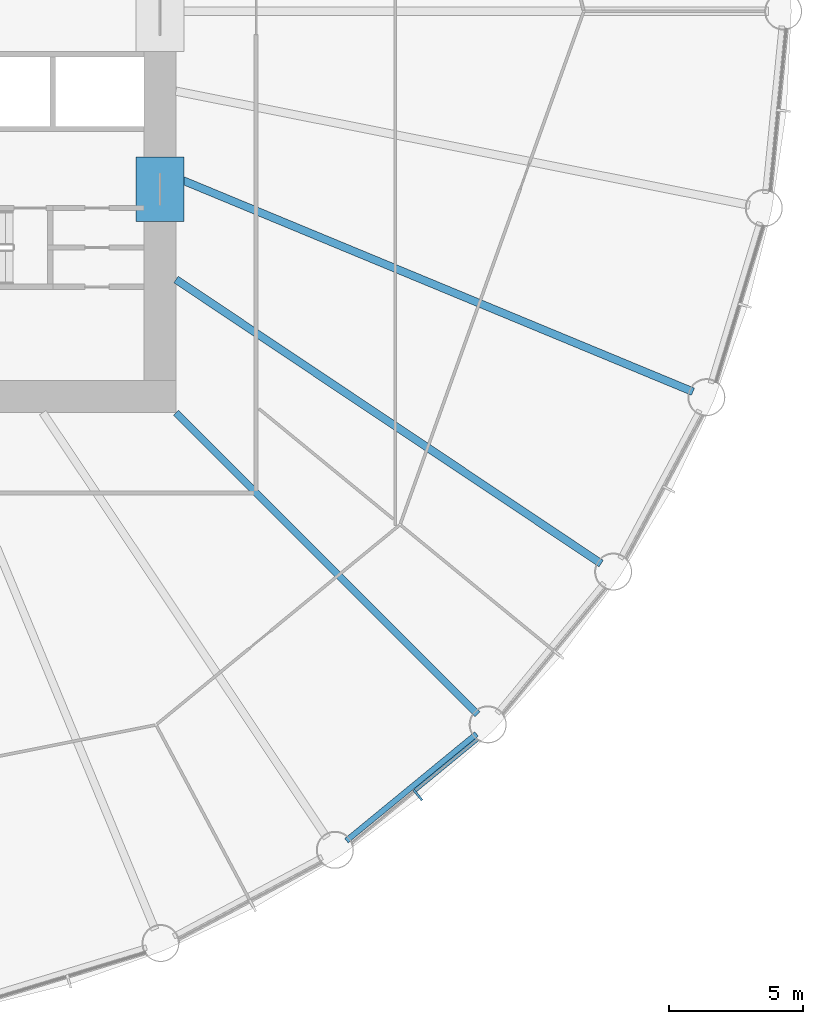
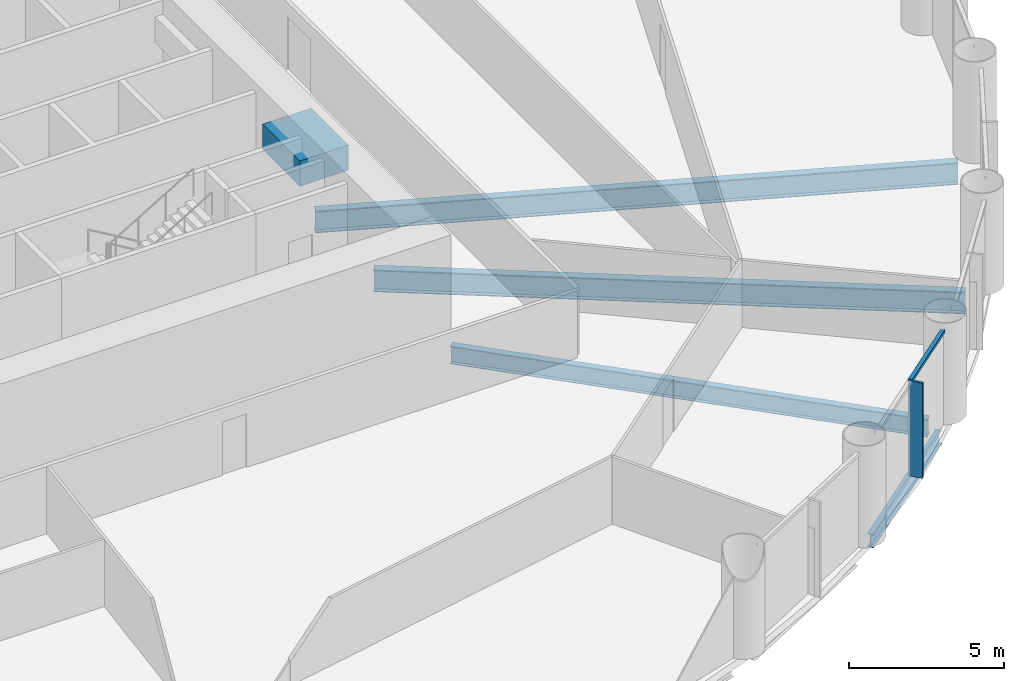
# One storey, part 3 of 14: 5 beams, 2 members, 1 element without a shape of its own.
"""IFC4 building model written with IfcOpenShell, lengths in metres."""

import ifcopenshell
import ifcopenshell.guid

model = None  # the IFC model being written
_history = None  # IfcOwnerHistory: only IFC2X3 demands one
_inside = {}  # id of a spatial element -> (the spatial element, [elements in it])
_under = {}  # id of a project, library or spatial element -> (it, [spatial elements below it])
_declared = {}  # id of a project -> (the project, [libraries it declares])
_typed = {}  # id of a type object -> (the type object, [elements of that type])
_made_of = {}  # id of a material, layer set ... -> (it, [elements and type objects made of it])


def new_model(schema):
    """Start an empty IFC model of exactly this schema.

    Asked for "IFC4X3", IfcOpenShell would pick the latest addendum, in which some entities
    have other attributes; the version numbers below select the first issue.
    IFC2X3 requires an IfcOwnerHistory on every rooted entity: one is made here for all.
    """
    global model, _history
    if schema == "IFC4X3":
        model = ifcopenshell.file(schema_version=(4, 3, 0, 0))
    else:
        model = ifcopenshell.file(schema=schema)
    _inside.clear()
    _under.clear()
    _declared.clear()
    _typed.clear()
    _made_of.clear()
    _history = None
    if model.schema == "IFC2X3":
        org = make("IfcOrganization", Name="unknown")
        user = make(
            "IfcPersonAndOrganization",
            ThePerson=make("IfcPerson", FamilyName="unknown"),
            TheOrganization=org,
        )
        app = make(
            "IfcApplication",
            ApplicationDeveloper=org,
            Version="unknown",
            ApplicationFullName="unknown",
            ApplicationIdentifier="unknown",
        )
        _history = make(
            "IfcOwnerHistory",
            OwningUser=user,
            OwningApplication=app,
            ChangeAction="ADDED",
            CreationDate=0,
        )
    return model


def make(cls, **values):
    """One entity of the class cls with the attributes given. An attribute that is None is left unset."""
    return model.create_entity(
        cls, **{name: value for name, value in values.items() if value is not None}
    )


def rooted(cls, **values):
    """An entity with a GlobalId (a new one), such as an element, a storey or a relation."""
    return make(cls, GlobalId=ifcopenshell.guid.new(), OwnerHistory=_history, **values)


def si_unit(unit_type, name, prefix=None):
    """IfcSIUnit, for example si_unit("LENGTHUNIT", "METRE", prefix="MILLI")."""
    return make("IfcSIUnit", UnitType=unit_type, Prefix=prefix, Name=name)


def assignment(units):
    """IfcUnitAssignment: the units of a project."""
    return None if units is None else make("IfcUnitAssignment", Units=units)


def point(xyz):
    """IfcCartesianPoint."""
    return None if xyz is None else make("IfcCartesianPoint", Coordinates=xyz)


def direction(xyz):
    """IfcDirection."""
    return None if xyz is None else make("IfcDirection", DirectionRatios=xyz)


def frame(location, z_axis=None, x_axis=None):
    """IfcAxis2Placement3D, a coordinate frame: its origin and axes. An axis left out is left unset."""
    return make(
        "IfcAxis2Placement3D",
        Location=point(location),
        Axis=direction(z_axis),
        RefDirection=direction(x_axis),
    )


def frame_2d(location, x_axis=None):
    """IfcAxis2Placement2D, a coordinate frame in the plane: its origin and x axis."""
    return make(
        "IfcAxis2Placement2D", Location=point(location), RefDirection=direction(x_axis)
    )


def origin():
    """The frame at (0, 0, 0) with its axes left unset."""
    return frame((0.0, 0.0, 0.0))


def origin_2d():
    """The frame at (0, 0) in the plane with its x axis left unset."""
    return frame_2d((0.0, 0.0))


def place(relative_to, where):
    """IfcLocalPlacement: puts the frame where relative to a parent placement (None: the world)."""
    return make(
        "IfcLocalPlacement", PlacementRelTo=relative_to, RelativePlacement=where
    )


def context(
    kind, dimensions, precision=None, world=None, true_north=None, identifier=None
):
    """IfcGeometricRepresentationContext, for example the 3D "Model" context."""
    return make(
        "IfcGeometricRepresentationContext",
        ContextIdentifier=identifier,
        ContextType=kind,
        CoordinateSpaceDimension=dimensions,
        Precision=precision,
        WorldCoordinateSystem=world,
        TrueNorth=true_north,
    )


def subcontext(parent, identifier, kind, view, scale=None):
    """IfcGeometricRepresentationSubContext, for example "Body" below "Model"."""
    return make(
        "IfcGeometricRepresentationSubContext",
        ContextIdentifier=identifier,
        ContextType=kind,
        ParentContext=parent,
        TargetScale=scale,
        TargetView=view,
    )


def project(units=None, contexts=None):
    """IfcProject with its units and contexts."""
    return rooted(
        "IfcProject",
        Name="project",
        RepresentationContexts=contexts,
        UnitsInContext=assignment(units),
    )


def spatial(cls, under=None, at=None, **own):
    """A site, building, storey or space (cls), placed at a placement, below another one or the project."""
    s = rooted(cls, ObjectPlacement=at, **own)
    if under is not None:
        _under.setdefault(under.id(), (under, []))[1].append(s)
    return s


def profile(cls, at=None, kind="AREA", **sizes):
    """A parametric profile (cls). Its sizes go by their IFC names, for example OverallWidth=200.0."""
    return make(cls, ProfileType=kind, Position=at, **sizes)


def rectangle(**sizes):
    """IfcRectangleProfileDef."""
    return profile("IfcRectangleProfileDef", **sizes)


def i_section(**sizes):
    """IfcIShapeProfileDef."""
    return profile("IfcIShapeProfileDef", **sizes)


def extrude(swept, where, along, depth):
    """IfcExtrudedAreaSolid: the profile swept, set in the frame where, extruded along a direction by depth."""
    return make(
        "IfcExtrudedAreaSolid",
        SweptArea=swept,
        Position=where,
        ExtrudedDirection=direction(along),
        Depth=depth,
    )


def shape(context_of_items, identifier, shape_type, items):
    """IfcShapeRepresentation: the items that make up one representation, for example the "Body"."""
    return make(
        "IfcShapeRepresentation",
        ContextOfItems=context_of_items,
        RepresentationIdentifier=identifier,
        RepresentationType=shape_type,
        Items=items,
    )


def material(Name=None, Category=None):
    """IfcMaterial."""
    return make("IfcMaterial", Name=Name, Category=Category)


def material_profile(
    of_material, cross_section, Name=None, Category=None, Priority=None
):
    """IfcMaterialProfile: a cross section and its material."""
    return make(
        "IfcMaterialProfile",
        Name=Name,
        Material=of_material,
        Profile=cross_section,
        Priority=Priority,
        Category=Category,
    )


def profile_set(profiles, Name=None, composite=None):
    """IfcMaterialProfileSet."""
    return make(
        "IfcMaterialProfileSet",
        Name=Name,
        MaterialProfiles=profiles,
        CompositeProfile=composite,
    )


def made_of(thing, what):
    """Note that an element or type object is made of a material, layer set ...; save() writes the relation."""
    if what is not None:
        _made_of.setdefault(what.id(), (what, []))[1].append(thing)
    return thing


def type_object(cls, material=None, **own):
    """A type object (cls), such as IfcWallType, which elements share."""
    return made_of(rooted(cls, **own), material)


def element(
    cls,
    number,
    at=None,
    inside=None,
    cuts=None,
    type_object=None,
    material=None,
    context=None,
    identifier="Body",
    shape_type=None,
    held_by="IfcProductDefinitionShape",
    body=None,
    shapes=None,
    **own,
):
    """One element of the class cls, such as IfcWall. Its Tag is "e" and its number.

    at: its placement. inside: the storey or other place that contains it. cuts: it is an
    opening in that element (IfcRelVoidsElement). A single representation is given by context,
    identifier, shape_type and body (its items); several are given by shapes. held_by: the class
    of the entity that holds the representations. save() writes the other relations.
    """
    e = rooted(cls, Tag="e%d" % number, ObjectPlacement=at, **own)
    if body is not None:
        shapes = [shape(context, identifier, shape_type, body)]
    if shapes is not None:
        e.Representation = make(held_by, Representations=shapes)
    if inside is not None:
        _inside.setdefault(inside.id(), (inside, []))[1].append(e)
    if cuts is not None:
        rooted(
            "IfcRelVoidsElement", RelatingBuildingElement=cuts, RelatedOpeningElement=e
        )
    if type_object is not None:
        _typed.setdefault(type_object.id(), (type_object, []))[1].append(e)
    return made_of(e, material)


def aggregate(whole, parts):
    """IfcRelAggregates: a whole, such as a stair, and the parts it consists of."""
    return rooted("IfcRelAggregates", RelatingObject=whole, RelatedObjects=parts)


def save(model, path):
    """Write the relations noted so far, then the file.

    IfcRelAggregates (storeys below a building ...), IfcRelContainedInSpatialStructure (elements
    in a storey), IfcRelDefinesByType, IfcRelAssociatesMaterial and IfcRelDeclares: one each for
    every whole, place, type object, material and project.
    """
    for whole, parts in _under.values():
        aggregate(whole, parts)
    for where, things in _inside.values():
        rooted(
            "IfcRelContainedInSpatialStructure",
            RelatedElements=things,
            RelatingStructure=where,
        )
    for kind, things in _typed.values():
        rooted("IfcRelDefinesByType", RelatedObjects=things, RelatingType=kind)
    for what, things in _made_of.values():
        rooted("IfcRelAssociatesMaterial", RelatedObjects=things, RelatingMaterial=what)
    for by, libraries in _declared.values():
        rooted("IfcRelDeclares", RelatingContext=by, RelatedDefinitions=libraries)
    model.write(path)


model = new_model("IFC4")

# Units and contexts
model_context = context("Model", 3, precision=1e-05, world=origin(), true_north=direction((0.0, 1.0)))
body_context = subcontext(model_context, "Body", "Model", "MODEL_VIEW")
ifc_project = project(units=[si_unit("LENGTHUNIT", "METRE"), si_unit("AREAUNIT", "SQUARE_METRE"), si_unit("VOLUMEUNIT", "CUBIC_METRE"), si_unit("PLANEANGLEUNIT", "RADIAN"), si_unit("MASSUNIT", "GRAM", prefix="KILO")], contexts=[model_context])

# Site, building, storey
site_placement = place(None, origin())
site = spatial("IfcSite", under=ifc_project, at=site_placement, CompositionType="ELEMENT")
building_placement = place(site_placement, origin())
building = spatial("IfcBuilding", under=site, at=building_placement, Name="Corvane Civic Tower", CompositionType="ELEMENT")
storey_placement = place(building_placement, frame((0.0, 0.0, 81.0)))
storey = spatial("IfcBuildingStorey", under=building, at=storey_placement, Name="L18", CompositionType="ELEMENT", Elevation=81.0)

# Beams
ifc_material_1 = material(Name="Concrete C80/95", Category="concrete")
ifc_material_profile_1 = material_profile(ifc_material_1, rectangle(XDim=1.800048828125, YDim=1.0, at=origin_2d()), Name="COUPLING BEAM 1800X1000")
ifc_profile_set_1 = profile_set([ifc_material_profile_1], Name="Concrete C80/95")
beam_type_1 = type_object("IfcBeamType", Name="COUPLING BEAM COUPLING BEAM 1800X1000", PredefinedType="BEAM", material=ifc_profile_set_1)
beam_1_placement = place(storey_placement, frame((14.39990234375, -7.85009765625, 2.60009765625), z_axis=(0.0, 1.0, 0.0), x_axis=(-1.0, 0.0, 0.0)))
element("IfcBeam", 1, at=beam_1_placement, inside=storey, type_object=beam_type_1, Name="BM-L18-cpl-CW-ES", PredefinedType="BEAM", context=body_context, shape_type="SweptSolid", body=[
    extrude(rectangle(XDim=1.800048828125, YDim=1.0, at=origin_2d()), origin(), (0.0, 0.0, 1.0), 2.400146484375),
])
ifc_material_2 = material(Name="Steel ASTM A992 Gr 50", Category="steel")
ifc_material_profile_2 = material_profile(ifc_material_2, i_section(OverallWidth=0.209228515625, OverallDepth=0.533447265625, WebThickness=0.01025390625, FlangeThickness=0.015625, at=origin_2d()), Name="W21X62")
ifc_profile_set_2 = profile_set([ifc_material_profile_2], Name="Steel ASTM A992 Gr 50")
beam_type_2 = type_object("IfcBeamType", Name="EDGE BEAM W21X62", PredefinedType="BEAM", material=ifc_profile_set_2)
beam_2_placement = place(storey_placement, frame((26.23291015625, -27.0068359375, -0.566650390625), z_axis=(-0.773015785286, -0.634386787141, 0.0), x_axis=(0.634386787141, -0.773015785286, 0.0)))
element("IfcBeam", 2, at=beam_2_placement, inside=storey, type_object=beam_type_2, Name="BM-L18-E13", PredefinedType="BEAM", context=body_context, shape_type="SweptSolid", body=[
    extrude(i_section(OverallWidth=0.209228515625, OverallDepth=0.533447265625, WebThickness=0.01025390625, FlangeThickness=0.015625, at=origin_2d()), origin(), (0.0, 0.0, 1.0), 6.290771484375),
])
ifc_material_3 = material(Name="Steel ASTM A992 Gr 50", Category="steel")
ifc_material_profile_3 = material_profile(ifc_material_3, i_section(OverallWidth=0.256591796875, OverallDepth=0.693359375, WebThickness=0.014404296875, FlangeThickness=0.023681640625, at=origin_2d()), Name="W27X114")
ifc_profile_set_3 = profile_set([ifc_material_profile_3], Name="Steel ASTM A992 Gr 50")
beam_type_3 = type_object("IfcBeamType", Name="FLOOR GIRDER W27X114", PredefinedType="BEAM", material=ifc_profile_set_3)
beam_3_placement = place(storey_placement, frame((15.0, -15.0, -0.646728515625), z_axis=(0.707106781187, -0.707106781187, 0.0), x_axis=(0.707106781187, 0.707106781187, 0.0)))
element("IfcBeam", 3, at=beam_3_placement, inside=storey, type_object=beam_type_3, Name="BM-L18-G13", PredefinedType="BEAM", context=body_context, shape_type="SweptSolid", body=[
    extrude(i_section(OverallWidth=0.256591796875, OverallDepth=0.693359375, WebThickness=0.014404296875, FlangeThickness=0.023681640625, at=origin_2d()), origin(), (0.0, 0.0, 1.0), 15.936767578125),
])
ifc_material_4 = material(Name="Steel ASTM A992 Gr 50", Category="steel")
ifc_material_profile_4 = material_profile(ifc_material_4, i_section(OverallWidth=0.2919921875, OverallDepth=0.8583984375, WebThickness=0.01708984375, FlangeThickness=0.031005859375, at=origin_2d()), Name="W33X169")
ifc_profile_set_4 = profile_set([ifc_material_profile_4], Name="Steel ASTM A992 Gr 50")
beam_type_4 = type_object("IfcBeamType", Name="FLOOR GIRDER W33X169", PredefinedType="BEAM", material=ifc_profile_set_4)
beam_4_placement = place(storey_placement, frame((15.0, -6.213134765625, -0.729248046875), z_axis=(0.923875834355, -0.382692360381, 0.0), x_axis=(0.382692360381, 0.923875834355, 0.0)))
element("IfcBeam", 4, at=beam_4_placement, inside=storey, type_object=beam_type_4, Name="BM-L18-G11", PredefinedType="BEAM", context=body_context, shape_type="SweptSolid", body=[
    extrude(i_section(OverallWidth=0.2919921875, OverallDepth=0.8583984375, WebThickness=0.01708984375, FlangeThickness=0.031005859375, at=origin_2d()), origin(), (0.0, 0.0, 1.0), 20.9140625),
])
beam_5_placement = place(storey_placement, frame((15.0, -10.022705078125, -0.729248046875), z_axis=(0.831471985418, -0.555566681385, 0.0), x_axis=(0.555566681385, 0.831471985418, 0.0)))
element("IfcBeam", 5, at=beam_5_placement, inside=storey, type_object=beam_type_4, Name="BM-L18-G12", PredefinedType="BEAM", context=body_context, shape_type="SweptSolid", body=[
    extrude(i_section(OverallWidth=0.2919921875, OverallDepth=0.8583984375, WebThickness=0.01708984375, FlangeThickness=0.031005859375, at=origin_2d()), origin(), (0.0, 0.0, 1.0), 19.109619140625),
])

# Curtain wall, members
ifc_material_5 = material(Name="Anodised aluminium bronze", Category="aluminium")
curtain_wall_type = type_object("IfcCurtainWallType", Name="TOWER CW-T1 STICK CURTAIN WALL", PredefinedType="NOTDEFINED", material=ifc_material_5)
curtain_wall_placement = place(storey_placement, origin())
curtain_wall = element("IfcCurtainWall", 6, at=curtain_wall_placement, inside=storey, type_object=curtain_wall_type, Name="Curtain wall CW-T1 L18 bay 13", PredefinedType="NOTDEFINED")
ifc_material_6 = material(Name="Anodised aluminium bronze", Category="aluminium")
ifc_material_profile_5 = material_profile(ifc_material_6, rectangle(XDim=0.139892578125, YDim=0.1201171875, at=origin_2d()), Name="TOWER CW-T1 TRANSOM 140x120")
ifc_profile_set_5 = profile_set([ifc_material_profile_5], Name="Anodised aluminium bronze")
member_type_1 = type_object("IfcMemberType", Name="TOWER CW-T1 TRANSOM 140x120", PredefinedType="USERDEFINED", material=ifc_profile_set_5)
member_1_placement = place(storey_placement, frame((26.271728515625, -27.20654296875, 3.68994140625), z_axis=(-0.773001943873, -0.634403652865, 0.0), x_axis=(0.634403652865, -0.773001943873, 0.0)))
member_1 = element("IfcMember", 7, at=member_1_placement, type_object=member_type_1, Name="Transom CW-T1 L18 13.1", ObjectType="TRANSOM", PredefinedType="USERDEFINED", context=body_context, shape_type="SweptSolid", body=[
    extrude(rectangle(XDim=0.139892578125, YDim=0.1201171875, at=origin_2d()), origin(), (0.0, 0.0, 1.0), 3.008544921875),
])
ifc_material_7 = material(Name="Anodised aluminium bronze", Category="aluminium")
ifc_material_profile_6 = material_profile(ifc_material_7, rectangle(XDim=0.080078125, YDim=0.5, at=origin_2d()), Name="TOWER FIN MULLION 80x500 BRONZE")
ifc_profile_set_6 = profile_set([ifc_material_profile_6], Name="Anodised aluminium bronze")
member_type_2 = type_object("IfcMemberType", Name="TOWER FIN MULLION 80x500 BRONZE", PredefinedType="MULLION", material=ifc_profile_set_6)
member_2_placement = place(storey_placement, frame((24.0419921875, -29.295166015625, 0.0), z_axis=(0.0, 0.0, 1.0), x_axis=(-0.773007224463, -0.634397218569, 0.0)))
member_2 = element("IfcMember", 8, at=member_2_placement, type_object=member_type_2, Name="Fin mullion 13 L18", PredefinedType="MULLION", context=body_context, shape_type="SweptSolid", body=[
    extrude(rectangle(XDim=0.080078125, YDim=0.5, at=origin_2d()), origin(), (0.0, 0.0, 1.0), 3.75),
])
aggregate(curtain_wall, [member_2, member_1])

save(model, "model.ifc")
